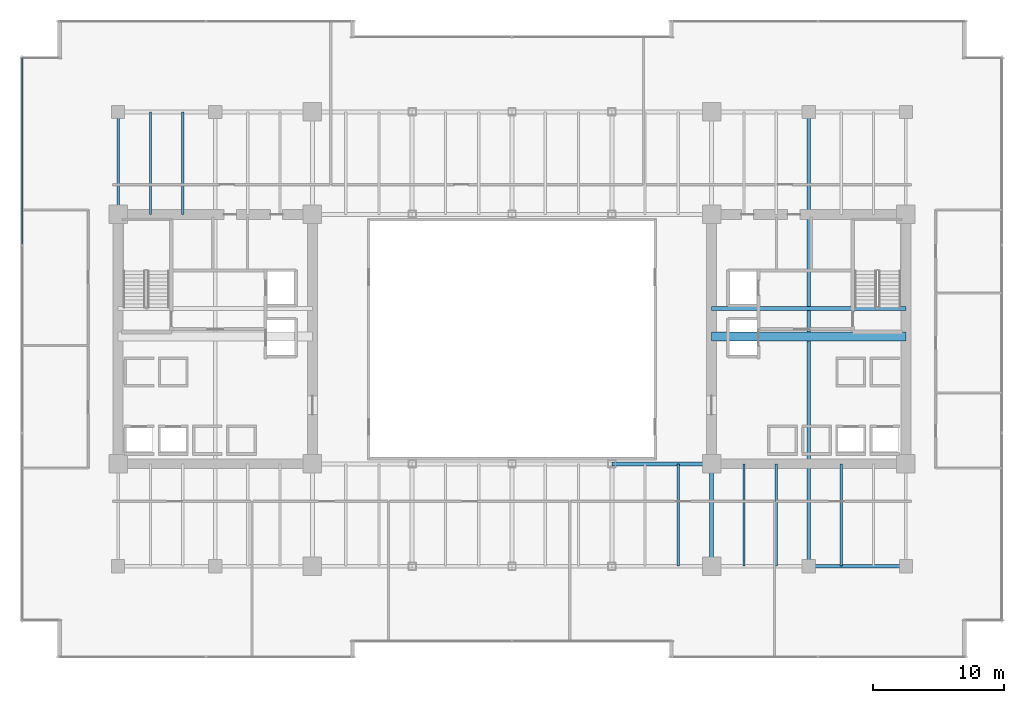
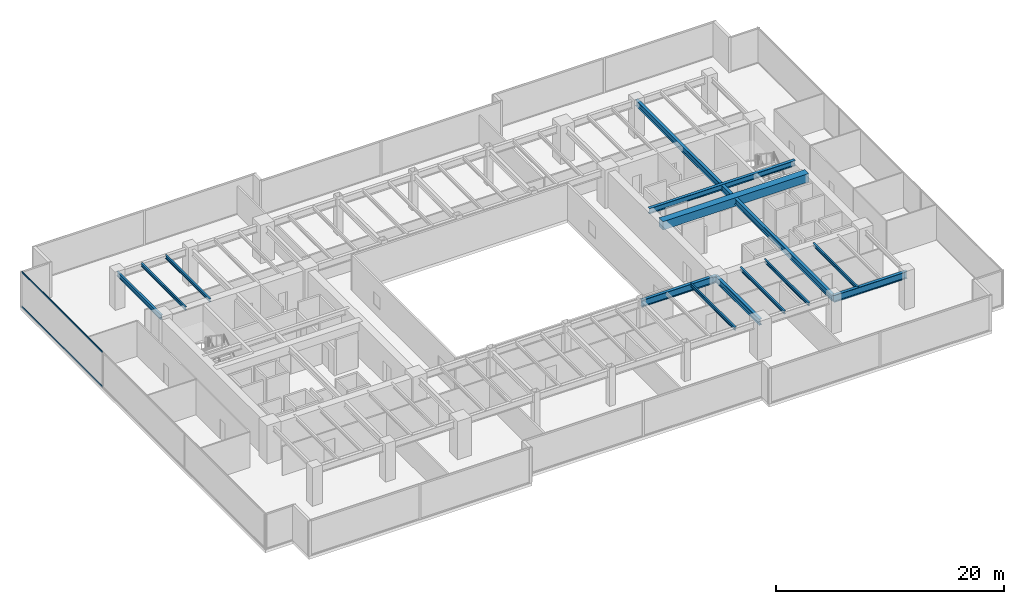
# One storey, part 11 of 35: 13 beams, 2 members, 1 element without a shape of its own.
"""IFC4 building model written with IfcOpenShell, lengths in metres."""

from ifc_helpers import new_model, si_unit, direction, frame, origin, origin_2d, place, context, subcontext, project, spatial, rectangle, hollow_rectangle, i_section, extrude, source, transform, mapped, material, layer, layer_set, material_profile, profile_set, type_object, type_shapes, element, aggregate, save


model = new_model("IFC4")

# Units and contexts
model_context = context("Model", 3, precision=1e-05, world=origin(), true_north=direction((0.0, 1.0)))
body_context = subcontext(model_context, "Body", "Model", "MODEL_VIEW")
ifc_project = project(units=[si_unit("LENGTHUNIT", "METRE"), si_unit("AREAUNIT", "SQUARE_METRE"), si_unit("VOLUMEUNIT", "CUBIC_METRE"), si_unit("PLANEANGLEUNIT", "RADIAN"), si_unit("MASSUNIT", "GRAM", prefix="KILO")], contexts=[model_context])

# Site, building, storey
site_placement = place(None, origin())
site = spatial("IfcSite", under=ifc_project, at=site_placement, CompositionType="ELEMENT")
building_placement = place(site_placement, origin())
building = spatial("IfcBuilding", under=site, at=building_placement, Name="Haelvirn Gate Laboratories", CompositionType="ELEMENT")
storey_placement = place(building_placement, frame((0.0, 0.0, 86.699951171875)))
storey = spatial("IfcBuildingStorey", under=building, at=storey_placement, Name="L21", CompositionType="ELEMENT", Elevation=86.699951171875)

# Beams
ifc_material_1 = material(Name="Concrete C60/75", Category="concrete")
ifc_material_profile_1 = material_profile(ifc_material_1, rectangle(XDim=0.699951171875, YDim=0.89990234375, at=origin_2d()), Name="RCB-700x900")
ifc_profile_set_1 = profile_set([ifc_material_profile_1], Name="Concrete C60/75")
beam_type_1 = type_object("IfcBeamType", Name="BM-RCB-900", PredefinedType="LINTEL", material=ifc_profile_set_1)
shared_shape_1 = source(origin(), body_context, "Body", "SweptSolid", [
    extrude(rectangle(XDim=0.699951171875, YDim=0.89990234375, at=origin_2d()), origin(), (0.0, 0.0, 1.0), 14.7998046875),
])
type_shapes(beam_type_1, [shared_shape_1])
beam_1_placement = place(storey_placement, frame((52.60009765625, 24.5, 3.330078125), z_axis=(1.0, 0.0, 0.0), x_axis=(0.0, 1.0, 0.0)))
element("IfcBeam", 1, at=beam_1_placement, inside=storey, type_object=beam_type_1, Name="L21 East Core Coupling Beam", PredefinedType="LINTEL", context=body_context, shape_type="MappedRepresentation", body=[
    mapped(shared_shape_1, transform((0.0, 0.0, 0.0), scale=1.0)),
])
ifc_material_2 = material(Name="Steel SM355", Category="steel")
ifc_material_profile_2 = material_profile(ifc_material_2, i_section(OverallWidth=0.300048828125, OverallDepth=0.587890625, WebThickness=0.011962890625, FlangeThickness=0.02001953125, at=origin_2d()), Name="H-588x300x12x20")
ifc_profile_set_2 = profile_set([ifc_material_profile_2], Name="Steel SM355")
beam_type_2 = type_object("IfcBeamType", Name="BM-G-588", PredefinedType="BEAM", material=ifc_profile_set_2)
shared_shape_2 = source(origin(), body_context, "Body", "SweptSolid", [
    extrude(i_section(OverallWidth=0.300048828125, OverallDepth=0.587890625, WebThickness=0.011962890625, FlangeThickness=0.02001953125, at=origin_2d()), origin(), (0.0, 0.0, 1.0), 14.7998046875),
])
type_shapes(beam_type_2, [shared_shape_2])
beam_2_placement = place(storey_placement, frame((52.60009765625, 26.6201171875, 3.486083984375), z_axis=(1.0, 0.0, 0.0), x_axis=(0.0, 1.0, 0.0)))
element("IfcBeam", 2, at=beam_2_placement, inside=storey, type_object=beam_type_2, Name="L21 Stair ST2 Landing Header", PredefinedType="BEAM", context=body_context, shape_type="MappedRepresentation", body=[
    mapped(shared_shape_2, transform((0.0, 0.0, 0.0), scale=1.0)),
])
ifc_material_profile_3 = material_profile(ifc_material_2, i_section(OverallWidth=0.300048828125, OverallDepth=0.75, WebThickness=0.013916015625, FlangeThickness=0.02392578125, at=origin_2d()), Name="H-750x300x14x24")
ifc_profile_set_3 = profile_set([ifc_material_profile_3], Name="Steel SM355")
beam_type_3 = type_object("IfcBeamType", Name="BM-G-750", PredefinedType="BEAM", material=ifc_profile_set_3)
shared_shape_3 = source(origin(), body_context, "Body", "SweptSolid", [
    extrude(i_section(OverallWidth=0.300048828125, OverallDepth=0.75, WebThickness=0.013916015625, FlangeThickness=0.02392578125, at=origin_2d()), origin(), (0.0, 0.0, 1.0), 7.39990234375),
])
beam_3_placement = place(storey_placement, frame((60.0, 7.0, 3.405029296875), z_axis=(1.0, 0.0, 0.0), x_axis=(0.0, 1.0, 0.0)))
element("IfcBeam", 3, at=beam_3_placement, inside=storey, type_object=beam_type_3, Name="L21 Primary Girder Y7.0 (60.0-67.4)", PredefinedType="BEAM", context=body_context, shape_type="MappedRepresentation", body=[
    mapped(shared_shape_3, transform((0.0, 0.0, 0.0), scale=1.0)),
])
shared_shape_4 = source(origin(), body_context, "Body", "SweptSolid", [
    extrude(i_section(OverallWidth=0.300048828125, OverallDepth=0.75, WebThickness=0.013916015625, FlangeThickness=0.02392578125, at=origin_2d()), origin(), (0.0, 0.0, 1.0), 7.60009765625),
])
type_shapes(beam_type_3, [shared_shape_3, shared_shape_4])
beam_4_placement = place(storey_placement, frame((45.0, 14.800048828125, 3.405029296875), z_axis=(1.0, 0.0, 0.0), x_axis=(0.0, 1.0, 0.0)))
element("IfcBeam", 4, at=beam_4_placement, inside=storey, type_object=beam_type_3, Name="L21 Primary Girder Y14.8 (45.0-52.6)", PredefinedType="BEAM", context=body_context, shape_type="MappedRepresentation", body=[
    mapped(shared_shape_4, transform((0.0, 0.0, 0.0), scale=1.0)),
])
ifc_material_profile_4 = material_profile(ifc_material_2, i_section(OverallWidth=0.199951171875, OverallDepth=0.5, WebThickness=0.010009765625, FlangeThickness=0.01611328125, at=origin_2d()), Name="H-500x200x10x16")
ifc_profile_set_4 = profile_set([ifc_material_profile_4], Name="Steel SM355")
beam_type_4 = type_object("IfcBeamType", Name="BM-SP-500", PredefinedType="SPANDREL", material=ifc_profile_set_4)
shared_shape_5 = source(origin(), body_context, "Body", "SweptSolid", [
    extrude(i_section(OverallWidth=0.199951171875, OverallDepth=0.5, WebThickness=0.010009765625, FlangeThickness=0.01611328125, at=origin_2d()), origin(), (0.0, 0.0, 1.0), 7.800048828125),
])
type_shapes(beam_type_4, [shared_shape_5])
beam_5_placement = place(storey_placement, frame((7.39990234375, 33.800048828125, 3.530029296875), z_axis=(0.0, 1.0, 0.0), x_axis=(-1.0, 0.0, 0.0)))
element("IfcBeam", 5, at=beam_5_placement, inside=storey, type_object=beam_type_4, Name="L21 Perimeter Spandrel X7.4 (33.8-41.6)", PredefinedType="SPANDREL", context=body_context, shape_type="MappedRepresentation", body=[
    mapped(shared_shape_5, transform((0.0, 0.0, 0.0), scale=1.0)),
])
ifc_material_profile_5 = material_profile(ifc_material_2, i_section(OverallWidth=0.175048828125, OverallDepth=0.35009765625, WebThickness=0.007080078125, FlangeThickness=0.010986328125, at=origin_2d()), Name="H-350x175x7x11")
ifc_profile_set_5 = profile_set([ifc_material_profile_5], Name="Steel SM355")
beam_type_5 = type_object("IfcBeamType", Name="BM-J-350", PredefinedType="JOIST", material=ifc_profile_set_5)
shared_shape_6 = source(origin(), body_context, "Body", "SweptSolid", [
    extrude(i_section(OverallWidth=0.175048828125, OverallDepth=0.35009765625, WebThickness=0.007080078125, FlangeThickness=0.010986328125, at=origin_2d()), origin(), (0.0, 0.0, 1.0), 7.800048828125),
])
type_shapes(beam_type_5, [shared_shape_6])
for number, where, z_axis, x_axis, name in (
    (6, (9.8701171875, 33.800048828125, 3.60498046875), (0.0, 1.0, 0.0), (-1.0, 0.0, 0.0), "L21 Composite Lab Joist North X9.87"),
    (7, (12.330078125, 33.800048828125, 3.60498046875), (0.0, 1.0, 0.0), (-1.0, 0.0, 0.0), "L21 Composite Lab Joist North X12.33"),
    (8, (50.070068359375, 7.0, 3.60498046875), (0.0, 1.0, 0.0), (-1.0, 0.0, 0.0), "L21 Composite Lab Joist South X50.07"),
    (9, (55.070068359375, 7.0, 3.60498046875), (0.0, 1.0, 0.0), (-1.0, 0.0, 0.0), "L21 Composite Lab Joist South X55.07"),
    (10, (57.530029296875, 7.0, 3.60498046875), (0.0, 1.0, 0.0), (-1.0, 0.0, 0.0), "L21 Composite Lab Joist South X57.53"),
    (11, (62.469970703125, 7.0, 3.60498046875), (0.0, 1.0, 0.0), (-1.0, 0.0, 0.0), "L21 Composite Lab Joist South X62.47"),
):
    element("IfcBeam", number, at=place(storey_placement, frame(where, z_axis=z_axis, x_axis=x_axis)), inside=storey, type_object=beam_type_5, Name=name, PredefinedType="JOIST", context=body_context, shape_type="MappedRepresentation", body=[
        mapped(shared_shape_6, transform((0.0, 0.0, 0.0), scale=1.0)),
    ])
ifc_material_profile_6 = material_profile(ifc_material_2, i_section(OverallWidth=0.300048828125, OverallDepth=0.64990234375, WebThickness=0.012939453125, FlangeThickness=0.02197265625, at=origin_2d()), Name="H-650x300x13x22")
ifc_profile_set_6 = profile_set([ifc_material_profile_6], Name="Steel SM355")
beam_type_6 = type_object("IfcBeamType", Name="BM-G-650", PredefinedType="BEAM", material=ifc_profile_set_6)
shared_shape_7 = source(origin(), body_context, "Body", "SweptSolid", [
    extrude(i_section(OverallWidth=0.300048828125, OverallDepth=0.64990234375, WebThickness=0.012939453125, FlangeThickness=0.02197265625, at=origin_2d()), origin(), (0.0, 0.0, 1.0), 34.60009765625),
])
beam_6_placement = place(storey_placement, frame((60.0, 7.0, 3.455078125), z_axis=(0.0, 1.0, 0.0), x_axis=(-1.0, 0.0, 0.0)))
element("IfcBeam", 12, at=beam_6_placement, inside=storey, type_object=beam_type_6, Name="L21 Frame Girder X60.0 (7.0-41.6)", PredefinedType="BEAM", context=body_context, shape_type="MappedRepresentation", body=[
    mapped(shared_shape_7, transform((0.0, 0.0, 0.0), scale=1.0)),
])
shared_shape_8 = source(origin(), body_context, "Body", "SweptSolid", [
    extrude(i_section(OverallWidth=0.300048828125, OverallDepth=0.64990234375, WebThickness=0.012939453125, FlangeThickness=0.02197265625, at=origin_2d()), origin(), (0.0, 0.0, 1.0), 7.800048828125),
])
type_shapes(beam_type_6, [shared_shape_7, shared_shape_8])
beam_7_placement = place(storey_placement, frame((52.60009765625, 7.0, 3.455078125), z_axis=(0.0, 1.0, 0.0), x_axis=(-1.0, 0.0, 0.0)))
element("IfcBeam", 13, at=beam_7_placement, inside=storey, type_object=beam_type_6, Name="L21 Frame Girder X52.6 (7.0-14.8)", PredefinedType="BEAM", context=body_context, shape_type="MappedRepresentation", body=[
    mapped(shared_shape_8, transform((0.0, 0.0, 0.0), scale=1.0)),
])

# Curtain wall, members
ifc_material_3 = material(Name="Anodised bronze unitised aluminium & triple low-E glass", Category="aluminium")
ifc_layer = layer(ifc_material_3, 0.18408203125, Name="CW-SYS-2")
ifc_layer_set = layer_set([ifc_layer], Name="Anodised bronze unitised aluminium & triple low-E glass")
curtain_wall_type = type_object("IfcCurtainWallType", Name="CW-SYS-2", PredefinedType="NOTDEFINED", material=ifc_layer_set)
curtain_wall_placement = place(storey_placement, origin())
curtain_wall = element("IfcCurtainWall", 14, at=curtain_wall_placement, inside=storey, type_object=curtain_wall_type, Name="L21 Unitised Curtain Wall CW-L21-P0-E17", PredefinedType="NOTDEFINED")
ifc_material_4 = material(Name="Extruded aluminium 6063-T6 (anodised bronze)", Category="aluminium")
ifc_material_profile_7 = material_profile(ifc_material_4, hollow_rectangle(XDim=0.070068359375, YDim=0.159912109375, WallThickness=0.0048828125, at=origin_2d()), Name="CWT-160x70x5")
ifc_profile_set_7 = profile_set([ifc_material_profile_7], Name="Extruded aluminium 6063-T6 (anodised bronze)")
member_type = type_object("IfcMemberType", Name="CWT-T160", PredefinedType="USERDEFINED", material=ifc_profile_set_7)
shared_shape_9 = source(origin(), body_context, "Body", "SweptSolid", [
    extrude(hollow_rectangle(XDim=0.070068359375, YDim=0.159912109375, WallThickness=0.0048828125, at=origin_2d()), origin(), (0.0, 0.0, 1.0), 14.220947265625),
])
type_shapes(member_type, [shared_shape_9])
member_1_placement = place(storey_placement, frame((0.10009765625, 45.72509765625, 0.03515625), z_axis=(0.0, -1.0, 0.0), x_axis=(1.0, 0.0, 0.0)))
member_1 = element("IfcMember", 15, at=member_1_placement, type_object=member_type, Name="CW2 transom 1.1", ObjectType="TRANSOM", PredefinedType="USERDEFINED", context=body_context, shape_type="MappedRepresentation", body=[
    mapped(shared_shape_9, transform((0.0, 0.0, 0.0), scale=1.0)),
])
member_2_placement = place(storey_placement, frame((0.10009765625, 45.72509765625, 3.7451171875), z_axis=(0.0, -1.0, 0.0), x_axis=(1.0, 0.0, 0.0)))
member_2 = element("IfcMember", 16, at=member_2_placement, type_object=member_type, Name="CW2 transom 1.2", ObjectType="TRANSOM", PredefinedType="USERDEFINED", context=body_context, shape_type="MappedRepresentation", body=[
    mapped(shared_shape_9, transform((0.0, 0.0, 0.0), scale=1.0)),
])
aggregate(curtain_wall, [member_1, member_2])

save(model, "model.ifc")
